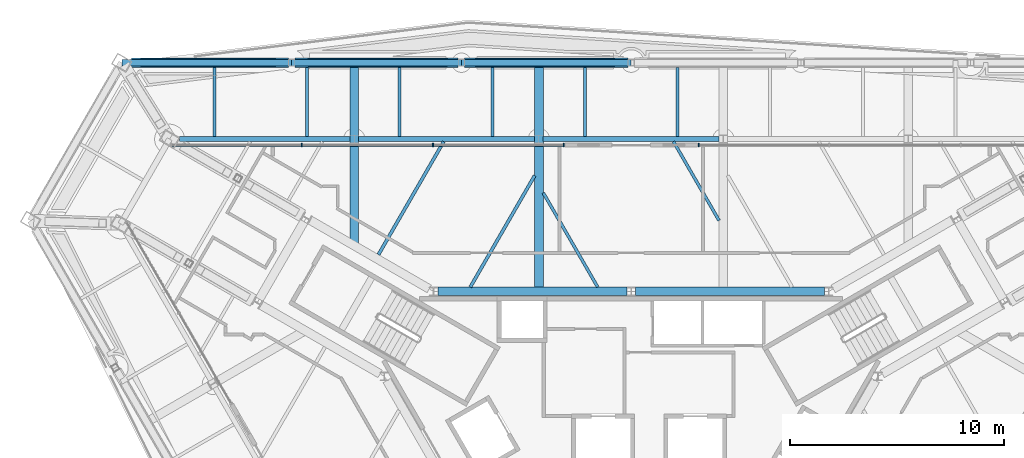
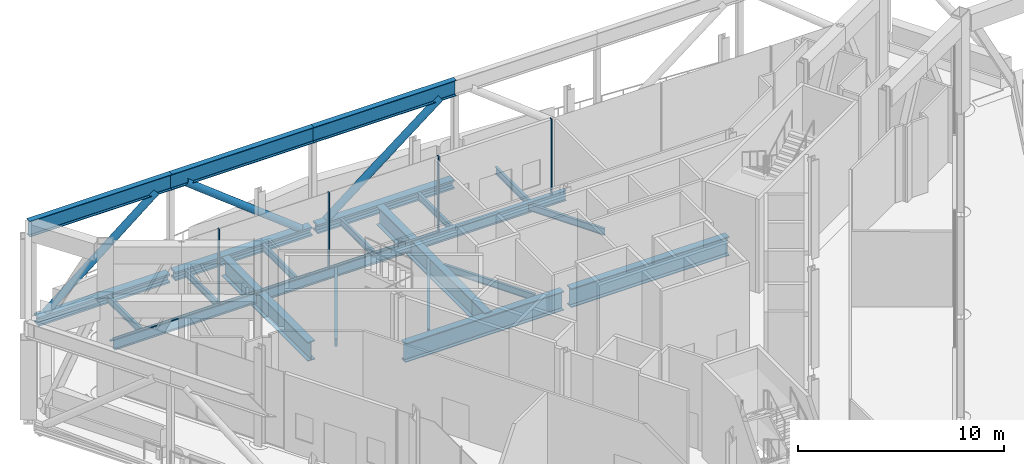
# One storey, part 10 of 24: 23 beams, 10 members, 2 elements without a shape of their own.
"""IFC4 building model written with IfcOpenShell, lengths in metres."""

from ifc_helpers import new_model, si_unit, direction, frame, origin, origin_2d, place, context, subcontext, project, spatial, rectangle, hollow_circle, i_section, extrude, material, material_profile, profile_set, type_object, element, aggregate, save


model = new_model("IFC4")

# Units and contexts
model_context = context("Model", 3, precision=1e-05, world=origin(), true_north=direction((0.0, 1.0)))
body_context = subcontext(model_context, "Body", "Model", "MODEL_VIEW")
ifc_project = project(units=[si_unit("LENGTHUNIT", "METRE"), si_unit("AREAUNIT", "SQUARE_METRE"), si_unit("VOLUMEUNIT", "CUBIC_METRE"), si_unit("PLANEANGLEUNIT", "RADIAN"), si_unit("MASSUNIT", "GRAM", prefix="KILO")], contexts=[model_context])

# Site, building, storey
site_placement = place(None, origin())
site = spatial("IfcSite", under=ifc_project, at=site_placement, CompositionType="ELEMENT")
building_placement = place(site_placement, origin())
building = spatial("IfcBuilding", under=site, at=building_placement, Name="Verrane Prism Tower", CompositionType="ELEMENT")
storey_placement = place(building_placement, frame((0.0, 0.0, 200.60009765625)))
storey = spatial("IfcBuildingStorey", under=building, at=storey_placement, Name="L50", CompositionType="ELEMENT", Elevation=200.60009765625)

# Beams
ifc_material_1 = material(Name="Steel A992", Category="steel")
ifc_material_profile_1 = material_profile(ifc_material_1, i_section(OverallWidth=0.44189453125, OverallDepth=0.53076171875, WebThickness=0.06591796875, FlangeThickness=0.105712890625, FilletRadius=0.01513671875, at=origin_2d()), Name="W14x605")
ifc_profile_set_1 = profile_set([ifc_material_profile_1], Name="Steel A992")
beam_type_1 = type_object("IfcBeamType", Name="Belt truss chord W14x605", PredefinedType="BEAM", material=ifc_profile_set_1)
for number, where, z_axis, x_axis, name in (
    (1, (-0.15234375, 18.7099609375, -0.4248046875), (-1.0, 0.0, 0.0), (0.0, -1.0, 0.0), "Belt truss chord L50"),
    (2, (-8.102294921875, 18.7099609375, -0.4248046875), (-1.0, 0.0, 0.0), (0.0, -1.0, 0.0), "Belt truss chord L50"),
):
    element("IfcBeam", number, at=place(storey_placement, frame(where, z_axis=z_axis, x_axis=x_axis)), inside=storey, type_object=beam_type_1, Name=name, PredefinedType="BEAM", context=body_context, shape_type="SweptSolid", body=[
        extrude(i_section(OverallWidth=0.44189453125, OverallDepth=0.53076171875, WebThickness=0.06591796875, FlangeThickness=0.105712890625, FilletRadius=0.01513671875, at=origin_2d()), origin(), (0.0, 0.0, 1.0), 7.645263671875),
    ])
beam_1_placement = place(storey_placement, frame((-16.052490234375, 18.7099609375, -0.4248046875), z_axis=(-1.0, 0.0, 0.0), x_axis=(0.0, -1.0, 0.0)))
element("IfcBeam", 3, at=beam_1_placement, inside=storey, type_object=beam_type_1, Name="Belt truss chord L50", PredefinedType="BEAM", context=body_context, shape_type="SweptSolid", body=[
    extrude(i_section(OverallWidth=0.44189453125, OverallDepth=0.53076171875, WebThickness=0.06591796875, FlangeThickness=0.105712890625, FilletRadius=0.01513671875, at=origin_2d()), origin(), (0.0, 0.0, 1.0), 7.345703125),
])
ifc_material_2 = material(Name="Steel A992", Category="steel")
ifc_material_profile_2 = material_profile(ifc_material_2, i_section(OverallWidth=0.307373046875, OverallDepth=0.927001953125, WebThickness=0.01953125, FlangeThickness=0.031982421875, FilletRadius=0.01904296875, at=origin_2d()), Name="W36x194")
ifc_profile_set_2 = profile_set([ifc_material_profile_2], Name="Steel A992")
beam_type_2 = type_object("IfcBeamType", Name="Belt truss chord W36x194", PredefinedType="BEAM", material=ifc_profile_set_2)
for number, where, z_axis, x_axis, name in (
    (4, (0.0, 18.7099609375, 5.176513671875), (-1.0, 0.0, 0.0), (0.0, -1.0, 0.0), "Belt truss chord L50"),
    (5, (-7.949951171875, 18.7099609375, 5.176513671875), (-1.0, 0.0, 0.0), (0.0, -1.0, 0.0), "Belt truss chord L50"),
):
    element("IfcBeam", number, at=place(storey_placement, frame(where, z_axis=z_axis, x_axis=x_axis)), inside=storey, type_object=beam_type_2, Name=name, PredefinedType="BEAM", context=body_context, shape_type="SweptSolid", body=[
        extrude(i_section(OverallWidth=0.307373046875, OverallDepth=0.927001953125, WebThickness=0.01953125, FlangeThickness=0.031982421875, FilletRadius=0.01904296875, at=origin_2d()), origin(), (0.0, 0.0, 1.0), 7.949951171875),
    ])
beam_2_placement = place(storey_placement, frame((-15.89990234375, 18.7099609375, 5.176513671875), z_axis=(-1.0, 0.0, 0.0), x_axis=(0.0, -1.0, 0.0)))
element("IfcBeam", 6, at=beam_2_placement, inside=storey, type_object=beam_type_2, Name="Belt truss chord L50", PredefinedType="BEAM", context=body_context, shape_type="SweptSolid", body=[
    extrude(i_section(OverallWidth=0.307373046875, OverallDepth=0.927001953125, WebThickness=0.01953125, FlangeThickness=0.031982421875, FilletRadius=0.01904296875, at=origin_2d()), origin(), (0.0, 0.0, 1.0), 7.960205078125),
])

# Members
ifc_material_3 = material(Name="Steel A500 Grade C", Category="steel")
ifc_material_profile_3 = material_profile(ifc_material_3, hollow_circle(Radius=0.203125, WallThickness=0.0126953125, at=origin_2d()), Name="HSS16.000x0.500")
ifc_profile_set_3 = profile_set([ifc_material_profile_3], Name="Steel A500 Grade C")
member_type_1 = type_object("IfcMemberType", Name="Belt truss diagonal HSS16.000x0.500", PredefinedType="BRACE", material=ifc_profile_set_3)
for number, where, z_axis, x_axis, name in (
    (7, (-7.2333984375, 18.7099609375, -0.1591796875), (0.789261558693, 0.0, 0.614057156924), (0.0, 1.0, 0.0), "Belt truss diagonal L50"),
    (8, (-8.666748046875, 18.7099609375, -0.1591796875), (-0.789261558693, 0.0, 0.614057156924), (0.0, -1.0, 0.0), "Belt truss diagonal L50"),
):
    element("IfcMember", number, at=place(storey_placement, frame(where, z_axis=z_axis, x_axis=x_axis)), inside=storey, type_object=member_type_1, Name=name, PredefinedType="BRACE", context=body_context, shape_type="SweptSolid", body=[
        extrude(hollow_circle(Radius=0.203125, WallThickness=0.0126953125, at=origin_2d()), origin(), (0.0, 0.0, 1.0), 8.12109375),
    ])
member_1_placement = place(storey_placement, frame((-22.906982421875, 18.7099609375, -0.1591796875), z_axis=(0.779123186779, 0.0, 0.626870847802), x_axis=(0.0, 1.0, 0.0)))
element("IfcMember", 9, at=member_1_placement, inside=storey, type_object=member_type_1, Name="Belt truss diagonal L50", PredefinedType="BRACE", context=body_context, shape_type="SweptSolid", body=[
    extrude(hollow_circle(Radius=0.203125, WallThickness=0.0126953125, at=origin_2d()), origin(), (0.0, 0.0, 1.0), 7.955078125),
])

# Beams
ifc_material_4 = material(Name="Steel A992", Category="steel")
ifc_material_profile_4 = material_profile(ifc_material_4, i_section(OverallWidth=0.140380859375, OverallDepth=0.40380859375, WebThickness=0.007080078125, FlangeThickness=0.01123046875, FilletRadius=0.01025390625, at=origin_2d()), Name="W16x31")
ifc_profile_set_4 = profile_set([ifc_material_profile_4], Name="Steel A992")
beam_type_3 = type_object("IfcBeamType", Name="Floor beam W16x31", PredefinedType="BEAM", material=ifc_profile_set_4)
for number, where, z_axis, x_axis, name in (
    (10, (2.169189453125, 15.2451171875, -0.362060546875), (0.0, 1.0, 0.0), (-1.0, 0.0, 0.0), "Floor beam L50"),
    (11, (-2.169189453125, 15.2451171875, -0.362060546875), (0.0, 1.0, 0.0), (-1.0, 0.0, 0.0), "Floor beam L50"),
    (12, (-6.50732421875, 15.2451171875, -0.362060546875), (0.0, 1.0, 0.0), (-1.0, 0.0, 0.0), "Floor beam L50"),
    (13, (-10.845458984375, 15.2451171875, -0.362060546875), (0.0, 1.0, 0.0), (-1.0, 0.0, 0.0), "Floor beam L50"),
    (14, (-15.18359375, 15.2451171875, -0.362060546875), (0.0, 1.0, 0.0), (-1.0, 0.0, 0.0), "Floor beam L50"),
    (15, (-19.521728515625, 15.2451171875, -0.362060546875), (0.0, 1.0, 0.0), (-1.0, 0.0, 0.0), "Floor beam L50"),
):
    element("IfcBeam", number, at=place(storey_placement, frame(where, z_axis=z_axis, x_axis=x_axis)), inside=storey, type_object=beam_type_3, Name=name, PredefinedType="BEAM", context=body_context, shape_type="SweptSolid", body=[
        extrude(i_section(OverallWidth=0.140380859375, OverallDepth=0.40380859375, WebThickness=0.007080078125, FlangeThickness=0.01123046875, FilletRadius=0.01025390625, at=origin_2d()), origin(), (0.0, 0.0, 1.0), 3.243896484375),
    ])
beam_3_placement = place(storey_placement, frame((4.117919921875, 11.31494140625, -0.362060546875), z_axis=(-0.500011000363, 0.866019052629, 0.0), x_axis=(-0.866019052629, -0.500011000363, 0.0)))
element("IfcBeam", 16, at=beam_3_placement, inside=storey, type_object=beam_type_3, Name="Floor beam L50", PredefinedType="BEAM", context=body_context, shape_type="SweptSolid", body=[
    extrude(i_section(OverallWidth=0.140380859375, OverallDepth=0.40380859375, WebThickness=0.007080078125, FlangeThickness=0.01123046875, FilletRadius=0.01025390625, at=origin_2d()), origin(), (0.0, 0.0, 1.0), 4.2724609375),
])
beam_4_placement = place(storey_placement, frame((-1.570068359375, 8.201904296875, -0.362060546875), z_axis=(-0.499993407537, 0.866029209911, 0.0), x_axis=(-0.866029209911, -0.499993407537, 0.0)))
element("IfcBeam", 17, at=beam_4_placement, inside=storey, type_object=beam_type_3, Name="Floor beam L50", PredefinedType="BEAM", context=body_context, shape_type="SweptSolid", body=[
    extrude(i_section(OverallWidth=0.140380859375, OverallDepth=0.40380859375, WebThickness=0.007080078125, FlangeThickness=0.01123046875, FilletRadius=0.01025390625, at=origin_2d()), origin(), (0.0, 0.0, 1.0), 5.095703125),
])
ifc_material_5 = material(Name="Steel A992", Category="steel")
ifc_material_profile_5 = material_profile(ifc_material_5, i_section(OverallWidth=0.15234375, OverallDepth=0.449462890625, WebThickness=0.007568359375, FlangeThickness=0.0107421875, FilletRadius=0.01025390625, at=origin_2d()), Name="W18x35")
ifc_profile_set_5 = profile_set([ifc_material_profile_5], Name="Steel A992")
beam_type_4 = type_object("IfcBeamType", Name="Floor beam W18x35", PredefinedType="BEAM", material=ifc_profile_set_5)
beam_5_placement = place(storey_placement, frame((-7.53515625, 8.201904296875, -0.385009765625), z_axis=(0.499999492451, 0.866025696818, 0.0), x_axis=(-0.866025696818, 0.499999492451, 0.0)))
element("IfcBeam", 18, at=beam_5_placement, inside=storey, type_object=beam_type_4, Name="Floor beam L50", PredefinedType="BEAM", context=body_context, shape_type="SweptSolid", body=[
    extrude(i_section(OverallWidth=0.15234375, OverallDepth=0.449462890625, WebThickness=0.007568359375, FlangeThickness=0.0107421875, FilletRadius=0.01025390625, at=origin_2d()), origin(), (0.0, 0.0, 1.0), 6.0263671875),
])
beam_6_placement = place(storey_placement, frame((-11.837890625, 9.72021484375, -0.385009765625), z_axis=(0.500000141125, 0.866025322306, 0.0), x_axis=(-0.866025322306, 0.500000141125, 0.0)))
element("IfcBeam", 19, at=beam_6_placement, inside=storey, type_object=beam_type_4, Name="Floor beam L50", PredefinedType="BEAM", context=body_context, shape_type="SweptSolid", body=[
    extrude(i_section(OverallWidth=0.15234375, OverallDepth=0.449462890625, WebThickness=0.007568359375, FlangeThickness=0.0107421875, FilletRadius=0.01025390625, at=origin_2d()), origin(), (0.0, 0.0, 1.0), 6.11376953125),
])

# Curtain wall, member
ifc_material_6 = material(Name="Aluminium framed insulated glazing", Category="aluminium")
curtain_wall_type = type_object("IfcCurtainWallType", Name="Curtain wall CW-B 5600 module", PredefinedType="NOTDEFINED", material=ifc_material_6)
curtain_wall_1_placement = place(storey_placement, origin())
curtain_wall_1 = element("IfcCurtainWall", 20, at=curtain_wall_1_placement, inside=storey, type_object=curtain_wall_type, Name="Refuge lounge glazing north face L50 1", PredefinedType="NOTDEFINED")
ifc_material_7 = material(Name="Aluminium alloy 6063-T6", Category="aluminium")
ifc_material_profile_6 = material_profile(ifc_material_7, rectangle(XDim=0.159912109375, YDim=0.06005859375, at=origin_2d()), Name="Mullion 60x160 aluminium")
ifc_profile_set_6 = profile_set([ifc_material_profile_6], Name="Aluminium alloy 6063-T6")
member_type_2 = type_object("IfcMemberType", Name="Mullion 60x160 aluminium", PredefinedType="MULLION", material=ifc_profile_set_6)
member_2_placement = place(storey_placement, frame((3.159912109375, 14.85107421875, 0.0), z_axis=(0.0, 0.0, 1.0), x_axis=(0.0, -1.0, 0.0)))
member_2 = element("IfcMember", 21, at=member_2_placement, type_object=member_type_2, Name="CW50.2.1 mullion 4", PredefinedType="MULLION", context=body_context, shape_type="SweptSolid", body=[
    extrude(rectangle(XDim=0.159912109375, YDim=0.06005859375, at=origin_2d()), origin(), (0.0, 0.0, 1.0), 4.522216796875),
])
aggregate(curtain_wall_1, [member_2])

# Curtain wall, members
curtain_wall_2_placement = place(storey_placement, origin())
curtain_wall_2 = element("IfcCurtainWall", 22, at=curtain_wall_2_placement, inside=storey, type_object=curtain_wall_type, Name="Refuge lounge glazing north face L50 2", PredefinedType="NOTDEFINED")
member_3_placement = place(storey_placement, frame((-3.159912109375, 14.85107421875, 0.0), z_axis=(0.0, 0.0, 1.0), x_axis=(0.0, -1.0, 0.0)))
member_3 = element("IfcMember", 23, at=member_3_placement, type_object=member_type_2, Name="CW50.2.2 mullion 1", PredefinedType="MULLION", context=body_context, shape_type="SweptSolid", body=[
    extrude(rectangle(XDim=0.159912109375, YDim=0.06005859375, at=origin_2d()), origin(), (0.0, 0.0, 1.0), 4.522216796875),
])
member_4_placement = place(storey_placement, frame((-9.280029296875, 14.85107421875, 0.0), z_axis=(0.0, 0.0, 1.0), x_axis=(0.0, -1.0, 0.0)))
member_4 = element("IfcMember", 24, at=member_4_placement, type_object=member_type_2, Name="CW50.2.2 mullion 2", PredefinedType="MULLION", context=body_context, shape_type="SweptSolid", body=[
    extrude(rectangle(XDim=0.159912109375, YDim=0.06005859375, at=origin_2d()), origin(), (0.0, 0.0, 1.0), 4.522216796875),
])
member_5_placement = place(storey_placement, frame((-15.43017578125, 14.85107421875, 0.0), z_axis=(0.0, 0.0, 1.0), x_axis=(0.0, -1.0, 0.0)))
member_5 = element("IfcMember", 25, at=member_5_placement, type_object=member_type_2, Name="CW50.2.2 mullion 3", PredefinedType="MULLION", context=body_context, shape_type="SweptSolid", body=[
    extrude(rectangle(XDim=0.159912109375, YDim=0.06005859375, at=origin_2d()), origin(), (0.0, 0.0, 1.0), 4.522216796875),
])

# Beams
ifc_material_8 = material(Name="Steel A992", Category="steel")
ifc_material_profile_7 = material_profile(ifc_material_8, i_section(OverallWidth=0.23046875, OverallDepth=0.6171875, WebThickness=0.01318359375, FlangeThickness=0.022216796875, FilletRadius=0.012939453125, at=origin_2d()), Name="W24x94")
ifc_profile_set_7 = profile_set([ifc_material_profile_7], Name="Steel A992")
beam_type_5 = type_object("IfcBeamType", Name="Spandrel beam W24x94", PredefinedType="SPANDREL", material=ifc_profile_set_7)
beam_7_placement = place(storey_placement, frame((4.119384765625, 15.1298828125, -0.46875), z_axis=(-1.0, 0.0, 0.0), x_axis=(0.0, -1.0, 0.0)))
element("IfcBeam", 26, at=beam_7_placement, inside=storey, type_object=beam_type_5, Name="Spandrel beam L50", PredefinedType="SPANDREL", context=body_context, shape_type="SweptSolid", body=[
    extrude(i_section(OverallWidth=0.23046875, OverallDepth=0.6171875, WebThickness=0.01318359375, FlangeThickness=0.022216796875, FilletRadius=0.012939453125, at=origin_2d()), origin(), (0.0, 0.0, 1.0), 8.23876953125),
])
beam_8_placement = place(storey_placement, frame((-4.520751953125, 15.1298828125, -0.46875), z_axis=(-1.0, 0.0, 0.0), x_axis=(0.0, -1.0, 0.0)))
element("IfcBeam", 27, at=beam_8_placement, inside=storey, type_object=beam_type_5, Name="Spandrel beam L50", PredefinedType="SPANDREL", context=body_context, shape_type="SweptSolid", body=[
    extrude(i_section(OverallWidth=0.23046875, OverallDepth=0.6171875, WebThickness=0.01318359375, FlangeThickness=0.022216796875, FilletRadius=0.012939453125, at=origin_2d()), origin(), (0.0, 0.0, 1.0), 8.24853515625),
])
beam_9_placement = place(storey_placement, frame((-13.170654296875, 15.1298828125, -0.46875), z_axis=(-1.0, 0.0, 0.0), x_axis=(0.0, -1.0, 0.0)))
element("IfcBeam", 28, at=beam_9_placement, inside=storey, type_object=beam_type_5, Name="Spandrel beam L50", PredefinedType="SPANDREL", context=body_context, shape_type="SweptSolid", body=[
    extrude(i_section(OverallWidth=0.23046875, OverallDepth=0.6171875, WebThickness=0.01318359375, FlangeThickness=0.022216796875, FilletRadius=0.012939453125, at=origin_2d()), origin(), (0.0, 0.0, 1.0), 7.987548828125),
])
ifc_material_9 = material(Name="Steel A992", Category="steel")
ifc_material_profile_8 = material_profile(ifc_material_9, i_section(OverallWidth=0.40380859375, OverallDepth=1.11767578125, WebThickness=0.026123046875, FlangeThickness=0.044921875, FilletRadius=0.02001953125, at=origin_2d()), Name="W44x335")
ifc_profile_set_8 = profile_set([ifc_material_profile_8], Name="Steel A992")
beam_type_6 = type_object("IfcBeamType", Name="Transfer girder W44x335", PredefinedType="BEAM", material=ifc_profile_set_8)
for number, where, z_axis, x_axis, name in (
    (29, (9.059326171875, 8.0, -0.808837890625), (-1.0, 0.0, 0.0), (0.0, -1.0, 0.0), "Transfer girder L50"),
    (30, (-0.20068359375, 8.0, -0.808837890625), (-1.0, 0.0, 0.0), (0.0, -1.0, 0.0), "Transfer girder L50"),
):
    element("IfcBeam", number, at=place(storey_placement, frame(where, z_axis=z_axis, x_axis=x_axis)), inside=storey, type_object=beam_type_6, Name=name, PredefinedType="BEAM", context=body_context, shape_type="SweptSolid", body=[
        extrude(i_section(OverallWidth=0.40380859375, OverallDepth=1.11767578125, WebThickness=0.026123046875, FlangeThickness=0.044921875, FilletRadius=0.02001953125, at=origin_2d()), origin(), (0.0, 0.0, 1.0), 8.858642578125),
    ])
beam_10_placement = place(storey_placement, frame((-4.320068359375, 18.489013671875, -0.718994140625), z_axis=(0.0, -1.0, 0.0), x_axis=(1.0, 0.0, 0.0)))
element("IfcBeam", 31, at=beam_10_placement, inside=storey, type_object=beam_type_6, Name="Transfer girder L50", PredefinedType="BEAM", context=body_context, shape_type="SweptSolid", body=[
    extrude(i_section(OverallWidth=0.40380859375, OverallDepth=1.11767578125, WebThickness=0.026123046875, FlangeThickness=0.044921875, FilletRadius=0.02001953125, at=origin_2d()), origin(), (0.0, 0.0, 1.0), 10.489013671875),
])
beam_11_placement = place(storey_placement, frame((-12.969970703125, 18.489013671875, -0.718994140625), z_axis=(0.0, -1.0, 0.0), x_axis=(1.0, 0.0, 0.0)))
element("IfcBeam", 32, at=beam_11_placement, inside=storey, type_object=beam_type_6, Name="Transfer girder L50", PredefinedType="BEAM", context=body_context, shape_type="SweptSolid", body=[
    extrude(i_section(OverallWidth=0.40380859375, OverallDepth=1.11767578125, WebThickness=0.026123046875, FlangeThickness=0.044921875, FilletRadius=0.02001953125, at=origin_2d()), origin(), (0.0, 0.0, 1.0), 8.34765625),
])

# Member
ifc_material_10 = material(Name="Aluminium alloy 6063-T6", Category="aluminium")
ifc_material_profile_9 = material_profile(ifc_material_10, rectangle(XDim=0.1201171875, YDim=0.06005859375, at=origin_2d()), Name="Transom 60x120 aluminium")
ifc_profile_set_9 = profile_set([ifc_material_profile_9], Name="Aluminium alloy 6063-T6")
member_type_3 = type_object("IfcMemberType", Name="Transom 60x120 aluminium", PredefinedType="USERDEFINED", material=ifc_profile_set_9)
member_6_placement = place(storey_placement, frame((-3.18994140625, 14.85107421875, 0.02978515625), z_axis=(-1.0, 0.0, 0.0), x_axis=(0.0, -1.0, 0.0)))
member_6 = element("IfcMember", 33, at=member_6_placement, type_object=member_type_3, Name="CW50.2.2 transom 1", ObjectType="TRANSOM", PredefinedType="USERDEFINED", context=body_context, shape_type="SweptSolid", body=[
    extrude(rectangle(XDim=0.1201171875, YDim=0.06005859375, at=origin_2d()), origin(), (0.0, 0.0, 1.0), 6.06005859375),
])

member_7_placement = place(storey_placement, frame((-9.31005859375, 14.85107421875, 0.02978515625), z_axis=(-1.0, 0.0, 0.0), x_axis=(0.0, -1.0, 0.0)))
member_7 = element("IfcMember", 34, at=member_7_placement, type_object=member_type_3, Name="CW50.2.2 transom 2", ObjectType="TRANSOM", PredefinedType="USERDEFINED", context=body_context, shape_type="SweptSolid", body=[
    extrude(rectangle(XDim=0.1201171875, YDim=0.06005859375, at=origin_2d()), origin(), (0.0, 0.0, 1.0), 6.090087890625),
])

member_8_placement = place(storey_placement, frame((-15.4599609375, 14.85107421875, 0.02978515625), z_axis=(-1.0, 0.0, 0.0), x_axis=(0.0, -1.0, 0.0)))
member_8 = element("IfcMember", 35, at=member_8_placement, type_object=member_type_3, Name="CW50.2.2 transom 3", ObjectType="TRANSOM", PredefinedType="USERDEFINED", context=body_context, shape_type="SweptSolid", body=[
    extrude(rectangle(XDim=0.1201171875, YDim=0.06005859375, at=origin_2d()), origin(), (0.0, 0.0, 1.0), 6.06005859375),
])

aggregate(curtain_wall_2, [member_3, member_4, member_5, member_6, member_7, member_8])

save(model, "model.ifc")
